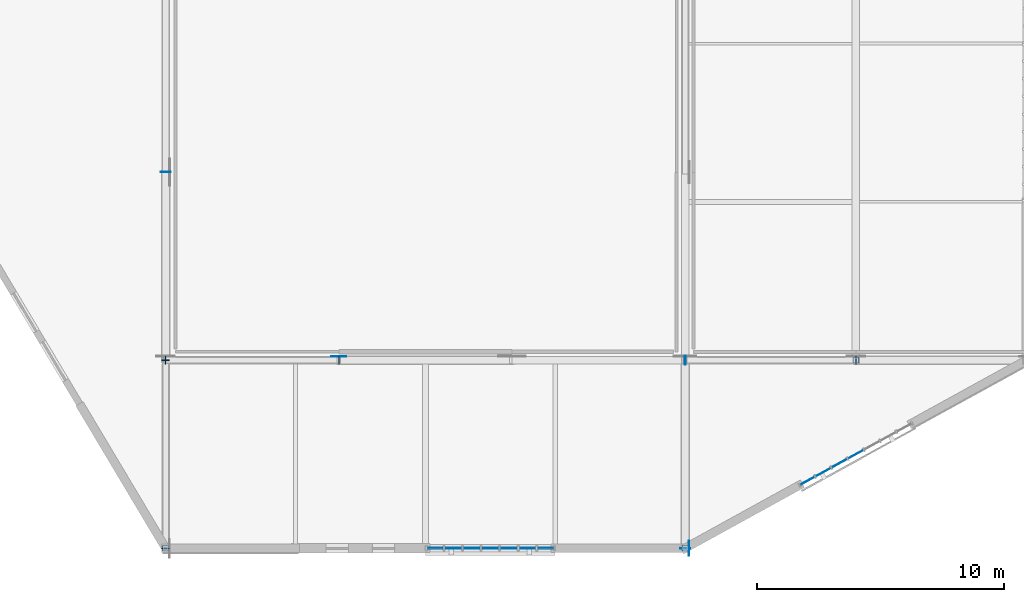
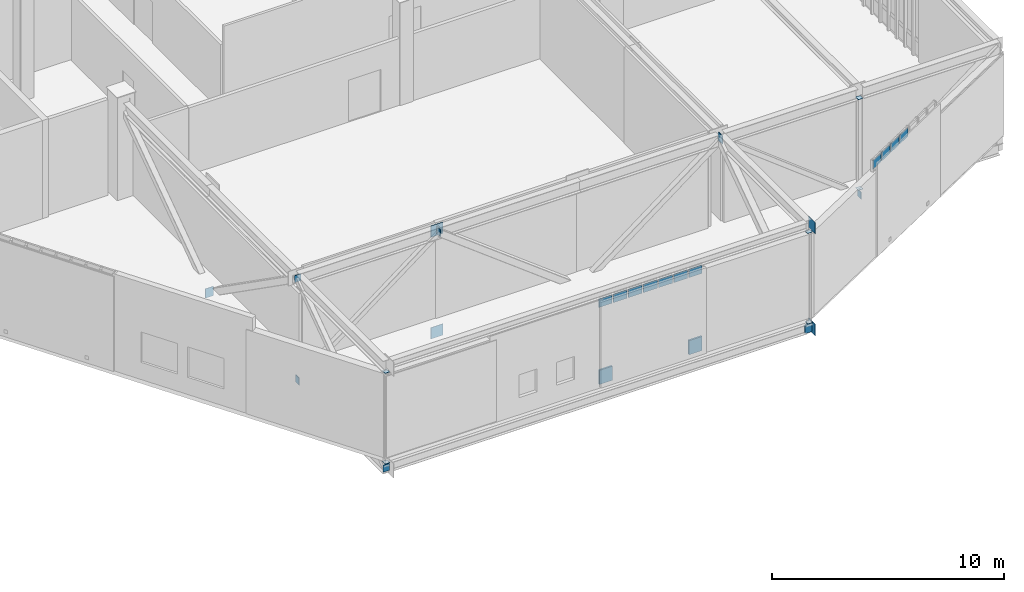
# One storey, part 105 of 135: 31 plates, 2 elements without a shape of their own.
"""IFC4 building model written with IfcOpenShell, lengths in metres."""

from ifc_helpers import new_model, si_unit, direction, frame, origin, origin_2d, place, context, subcontext, project, spatial, rectangle, extrude, material, layer, layer_set, type_object, element, aggregate, save


model = new_model("IFC4")

# Units and contexts
model_context = context("Model", 3, precision=1e-05, world=origin(), true_north=direction((0.0, 1.0)))
body_context = subcontext(model_context, "Body", "Model", "MODEL_VIEW")
ifc_project = project(units=[si_unit("LENGTHUNIT", "METRE"), si_unit("AREAUNIT", "SQUARE_METRE"), si_unit("VOLUMEUNIT", "CUBIC_METRE"), si_unit("PLANEANGLEUNIT", "RADIAN"), si_unit("MASSUNIT", "GRAM", prefix="KILO")], contexts=[model_context])

# Site, building, storey
site_placement = place(None, origin())
site = spatial("IfcSite", under=ifc_project, at=site_placement, CompositionType="ELEMENT")
building_placement = place(site_placement, origin())
building = spatial("IfcBuilding", under=site, at=building_placement, Name="Larkvane Passage Sports Hall", CompositionType="ELEMENT")
storey_placement = place(building_placement, frame((0.0, 0.0, 16.800048828125)))
storey = spatial("IfcBuildingStorey", under=building, at=storey_placement, Name="L03", CompositionType="ELEMENT", Elevation=16.800048828125)

# Curtain wall, plates
ifc_material_1 = material(Name="Thermally broken aluminium and low-E glazing", Category="aluminium")
curtain_wall_type_1 = type_object("IfcCurtainWallType", Name="CW-UNIT-VEIL", PredefinedType="USERDEFINED", material=ifc_material_1)
curtain_wall_1_placement = place(storey_placement, origin())
curtain_wall_1 = element("IfcCurtainWall", 1, at=curtain_wall_1_placement, inside=storey, type_object=curtain_wall_type_1, Name="Curtain wall CW5-L03-117", ObjectType="UNITISED CURTAIN WALL", PredefinedType="USERDEFINED")
ifc_material_2 = material(Name="Mineral-wool insulated spandrel cassette")
ifc_layer_1 = layer(ifc_material_2, 0.0849609375)
ifc_layer_set_1 = layer_set([ifc_layer_1], Name="Mineral-wool insulated spandrel cassette")
plate_type_1 = type_object("IfcPlateType", Name="CWP-SPD-85", PredefinedType="CURTAIN_PANEL", material=ifc_layer_set_1)
plate_1_placement = place(storey_placement, frame((146.95751953125, 0.0, 0.06982421875), z_axis=(0.0, 0.0, 1.0), x_axis=(-1.0, 0.0, 0.0)))
plate_1 = element("IfcPlate", 2, at=plate_1_placement, type_object=plate_type_1, Name="CW-02 panel 1.1", PredefinedType="CURTAIN_PANEL", context=body_context, shape_type="SweptSolid", body=[
    extrude(rectangle(XDim=0.64501953125, YDim=0.0849609375, at=origin_2d()), origin(), (0.0, 0.0, 1.0), 0.7451171875),
])
plate_2_placement = place(storey_placement, frame((142.492431640625, 0.0, 0.06982421875), z_axis=(0.0, 0.0, 1.0), x_axis=(-1.0, 0.0, 0.0)))
plate_2 = element("IfcPlate", 3, at=plate_2_placement, type_object=plate_type_1, Name="CW-02 panel 7.1", PredefinedType="CURTAIN_PANEL", context=body_context, shape_type="SweptSolid", body=[
    extrude(rectangle(XDim=0.64501953125, YDim=0.0849609375, at=origin_2d()), origin(), (0.0, 0.0, 1.0), 0.7451171875),
])

curtain_wall_type_2 = type_object("IfcCurtainWallType", Name="CW-UNIT-COURT", PredefinedType="USERDEFINED", material=ifc_material_1)
curtain_wall_2_placement = place(storey_placement, origin())
curtain_wall_2 = element("IfcCurtainWall", 4, at=curtain_wall_2_placement, inside=storey, type_object=curtain_wall_type_2, Name="Curtain wall CW5-L03-116", ObjectType="UNITISED CURTAIN WALL", PredefinedType="USERDEFINED")
ifc_material_3 = material(Name="Solar-control low-E double glazing", Category="glass")
ifc_layer_2 = layer(ifc_material_3, 0.028076171875)
ifc_layer_set_2 = layer_set([ifc_layer_2], Name="Solar-control low-E double glazing")
plate_type_2 = type_object("IfcPlateType", Name="CWP-VIS-28", PredefinedType="CURTAIN_PANEL", material=ifc_layer_set_2)
plate_3_placement = place(storey_placement, frame((159.5, 3.800048828125, 4.510009765625), z_axis=(0.0, 0.0, 1.0), x_axis=(-0.875942378343, -0.482415743754, 0.0)))
plate_3 = element("IfcPlate", 5, at=plate_3_placement, type_object=plate_type_2, Name="CW-01 panel 4.3", PredefinedType="CURTAIN_PANEL", context=body_context, shape_type="SweptSolid", body=[
    extrude(rectangle(XDim=0.690185546875, YDim=0.028076171875, at=origin_2d()), origin(), (0.0, 0.0, 1.0), 0.4599609375),
])
plate_4_placement = place(storey_placement, frame((158.8427734375, 3.43798828125, 4.510009765625), z_axis=(0.0, 0.0, 1.0), x_axis=(-0.875942378343, -0.482415743754, 0.0)))
plate_4 = element("IfcPlate", 6, at=plate_4_placement, type_object=plate_type_2, Name="CW-01 panel 5.3", PredefinedType="CURTAIN_PANEL", context=body_context, shape_type="SweptSolid", body=[
    extrude(rectangle(XDim=0.690185546875, YDim=0.028076171875, at=origin_2d()), origin(), (0.0, 0.0, 1.0), 0.4599609375),
])
plate_5_placement = place(storey_placement, frame((158.185791015625, 3.076171875, 4.510009765625), z_axis=(0.0, 0.0, 1.0), x_axis=(-0.875942378343, -0.482415743754, 0.0)))
plate_5 = element("IfcPlate", 7, at=plate_5_placement, type_object=plate_type_2, Name="CW-01 panel 6.3", PredefinedType="CURTAIN_PANEL", context=body_context, shape_type="SweptSolid", body=[
    extrude(rectangle(XDim=0.690185546875, YDim=0.028076171875, at=origin_2d()), origin(), (0.0, 0.0, 1.0), 0.4599609375),
])
plate_6_placement = place(storey_placement, frame((157.541748046875, 2.721435546875, 4.510009765625), z_axis=(0.0, 0.0, 1.0), x_axis=(-0.875942378343, -0.482415743754, 0.0)))
plate_6 = element("IfcPlate", 8, at=plate_6_placement, type_object=plate_type_2, Name="CW-01 panel 7.3", PredefinedType="CURTAIN_PANEL", context=body_context, shape_type="SweptSolid", body=[
    extrude(rectangle(XDim=0.66015625, YDim=0.028076171875, at=origin_2d()), origin(), (0.0, 0.0, 1.0), 0.4599609375),
])
aggregate(curtain_wall_2, [plate_3, plate_4, plate_5, plate_6])

# Plate
ifc_material_4 = material(Name="Laminated acoustic low-E glazing", Category="glass")
ifc_layer_3 = layer(ifc_material_4, 0.031982421875)
ifc_layer_set_3 = layer_set([ifc_layer_3], Name="Laminated acoustic low-E glazing")
plate_type_3 = type_object("IfcPlateType", Name="CWP-VIS-32", PredefinedType="CURTAIN_PANEL", material=ifc_layer_set_3)
plate_7_placement = place(storey_placement, frame((146.95751953125, 0.0, 4.10302734375), z_axis=(0.0, 0.0, 1.0), x_axis=(-1.0, 0.0, 0.0)))
plate_7 = element("IfcPlate", 9, at=plate_7_placement, type_object=plate_type_3, Name="CW-02 panel 1.3", PredefinedType="CURTAIN_PANEL", context=body_context, shape_type="SweptSolid", body=[
    extrude(rectangle(XDim=0.64501953125, YDim=0.031982421875, at=origin_2d()), origin(), (0.0, 0.0, 1.0), 0.445068359375),
])

plate_8_placement = place(storey_placement, frame((146.22509765625, 0.0, 4.10302734375), z_axis=(0.0, 0.0, 1.0), x_axis=(-1.0, 0.0, 0.0)))
plate_8 = element("IfcPlate", 10, at=plate_8_placement, type_object=plate_type_3, Name="CW-02 panel 2.3", PredefinedType="CURTAIN_PANEL", context=body_context, shape_type="SweptSolid", body=[
    extrude(rectangle(XDim=0.679931640625, YDim=0.031982421875, at=origin_2d()), origin(), (0.0, 0.0, 1.0), 0.445068359375),
])

plate_9_placement = place(storey_placement, frame((145.47509765625, 0.0, 4.10302734375), z_axis=(0.0, 0.0, 1.0), x_axis=(-1.0, 0.0, 0.0)))
plate_9 = element("IfcPlate", 11, at=plate_9_placement, type_object=plate_type_3, Name="CW-02 panel 3.3", PredefinedType="CURTAIN_PANEL", context=body_context, shape_type="SweptSolid", body=[
    extrude(rectangle(XDim=0.679931640625, YDim=0.031982421875, at=origin_2d()), origin(), (0.0, 0.0, 1.0), 0.445068359375),
])

plate_10_placement = place(storey_placement, frame((144.72509765625, 0.0, 4.10302734375), z_axis=(0.0, 0.0, 1.0), x_axis=(-1.0, 0.0, 0.0)))
plate_10 = element("IfcPlate", 12, at=plate_10_placement, type_object=plate_type_3, Name="CW-02 panel 4.3", PredefinedType="CURTAIN_PANEL", context=body_context, shape_type="SweptSolid", body=[
    extrude(rectangle(XDim=0.679931640625, YDim=0.031982421875, at=origin_2d()), origin(), (0.0, 0.0, 1.0), 0.445068359375),
])

plate_11_placement = place(storey_placement, frame((143.97509765625, 0.0, 4.10302734375), z_axis=(0.0, 0.0, 1.0), x_axis=(-1.0, 0.0, 0.0)))
plate_11 = element("IfcPlate", 13, at=plate_11_placement, type_object=plate_type_3, Name="CW-02 panel 5.3", PredefinedType="CURTAIN_PANEL", context=body_context, shape_type="SweptSolid", body=[
    extrude(rectangle(XDim=0.679931640625, YDim=0.031982421875, at=origin_2d()), origin(), (0.0, 0.0, 1.0), 0.445068359375),
])

plate_12_placement = place(storey_placement, frame((143.22509765625, 0.0, 4.10302734375), z_axis=(0.0, 0.0, 1.0), x_axis=(-1.0, 0.0, 0.0)))
plate_12 = element("IfcPlate", 14, at=plate_12_placement, type_object=plate_type_3, Name="CW-02 panel 6.3", PredefinedType="CURTAIN_PANEL", context=body_context, shape_type="SweptSolid", body=[
    extrude(rectangle(XDim=0.679931640625, YDim=0.031982421875, at=origin_2d()), origin(), (0.0, 0.0, 1.0), 0.445068359375),
])

plate_13_placement = place(storey_placement, frame((142.492431640625, 0.0, 4.10302734375), z_axis=(0.0, 0.0, 1.0), x_axis=(-1.0, 0.0, 0.0)))
plate_13 = element("IfcPlate", 15, at=plate_13_placement, type_object=plate_type_3, Name="CW-02 panel 7.3", PredefinedType="CURTAIN_PANEL", context=body_context, shape_type="SweptSolid", body=[
    extrude(rectangle(XDim=0.64501953125, YDim=0.031982421875, at=origin_2d()), origin(), (0.0, 0.0, 1.0), 0.445068359375),
])

aggregate(curtain_wall_1, [plate_1, plate_7, plate_8, plate_9, plate_10, plate_11, plate_12, plate_2, plate_13])

# Plates
ifc_material_5 = material(Name="Steel S355JR", Category="steel")
ifc_layer_4 = layer(ifc_material_5, 0.011962890625)
ifc_layer_set_4 = layer_set([ifc_layer_4], Name="Steel S355JR")
plate_type_4 = type_object("IfcPlateType", Name="PLT-CAP-12", PredefinedType="SHEET", material=ifc_layer_set_4)
for number, where, z_axis, x_axis, name in (
    (16, (131.59521484375, 7.60009765625, -0.8046875), (0.0, 0.0, 1.0), (0.0, 1.0, 0.0), "Hollow section sealed end cap plate 0178"),
    (17, (138.604736328125, 7.60009765625, 4.54248046875), (0.0, 0.0, 1.0), (0.0, 1.0, 0.0), "Hollow section sealed end cap plate 0179"),
):
    element("IfcPlate", number, at=place(storey_placement, frame(where, z_axis=z_axis, x_axis=x_axis)), inside=storey, type_object=plate_type_4, Name=name, PredefinedType="SHEET", context=body_context, shape_type="SweptSolid", body=[
        extrude(rectangle(XDim=0.31005859375, YDim=0.028076171875, at=origin_2d()), origin(), (0.0, 0.0, 1.0), 0.3740234375),
    ])
plate_14_placement = place(storey_placement, frame((159.504638671875, 7.60009765625, -0.8056640625), z_axis=(0.0, 0.0, 1.0), x_axis=(0.0, 1.0, 0.0)))
element("IfcPlate", 18, at=plate_14_placement, inside=storey, type_object=plate_type_4, Name="Hollow section sealed end cap plate 0181", PredefinedType="SHEET", context=body_context, shape_type="SweptSolid", body=[
    extrude(rectangle(XDim=0.31005859375, YDim=0.028076171875, at=origin_2d()), origin(), (0.0, 0.0, 1.0), 0.3759765625),
])
for number, where, z_axis, x_axis, name in (
    (19, (159.5, 7.60009765625, -0.33203125), (0.0, 0.0, 1.0), (1.0, 0.0, 0.0), "Hollow section sealed end cap plate 0183"),
    (20, (159.5, 7.60009765625, 4.43212890625), (0.0, 0.0, 1.0), (1.0, 0.0, 0.0), "Hollow section sealed end cap plate 0184"),
):
    element("IfcPlate", number, at=place(storey_placement, frame(where, z_axis=z_axis, x_axis=x_axis)), inside=storey, type_object=plate_type_4, Name=name, PredefinedType="SHEET", context=body_context, shape_type="SweptSolid", body=[
        extrude(rectangle(XDim=0.239990234375, YDim=0.239990234375, at=origin_2d()), origin(), (0.0, 0.0, 1.0), 0.011962890625),
    ])
for number, where, z_axis, x_axis, name in (
    (21, (131.60009765625, -0.0048828125, -0.80029296875), (0.0, 0.0, 1.0), (-1.0, 0.0, 0.0), "Hollow section sealed end cap plate 0212"),
    (22, (131.60009765625, 7.60498046875, 4.54638671875), (0.0, 0.0, 1.0), (-1.0, 0.0, 0.0), "Hollow section sealed end cap plate 0213"),
):
    element("IfcPlate", number, at=place(storey_placement, frame(where, z_axis=z_axis, x_axis=x_axis)), inside=storey, type_object=plate_type_4, Name=name, PredefinedType="SHEET", context=body_context, shape_type="SweptSolid", body=[
        extrude(rectangle(XDim=0.31005859375, YDim=0.028076171875, at=origin_2d()), origin(), (0.0, 0.0, 1.0), 0.365966796875),
    ])
for number, where, z_axis, x_axis, name in (
    (23, (131.60009765625, 0.0, -0.33203125), (0.0, 0.0, 1.0), (1.0, 0.0, 0.0), "Hollow section sealed end cap plate 0216"),
    (24, (131.60009765625, 0.0, 4.43212890625), (0.0, 0.0, 1.0), (1.0, 0.0, 0.0), "Hollow section sealed end cap plate 0217"),
    (25, (152.60009765625, 0.0, -0.33203125), (0.0, 0.0, 1.0), (1.0, 0.0, 0.0), "Hollow section sealed end cap plate 0220"),
    (26, (152.60009765625, 0.0, 4.43212890625), (0.0, 0.0, 1.0), (1.0, 0.0, 0.0), "Hollow section sealed end cap plate 0221"),
):
    element("IfcPlate", number, at=place(storey_placement, frame(where, z_axis=z_axis, x_axis=x_axis)), inside=storey, type_object=plate_type_4, Name=name, PredefinedType="SHEET", context=body_context, shape_type="SweptSolid", body=[
        extrude(rectangle(XDim=0.239990234375, YDim=0.239990234375, at=origin_2d()), origin(), (0.0, 0.0, 1.0), 0.011962890625),
    ])
ifc_material_6 = material(Name="Steel S460N", Category="steel")
ifc_layer_5 = layer(ifc_material_6, 0.02001953125)
ifc_layer_set_5 = layer_set([ifc_layer_5], Name="Steel S460N")
plate_type_5 = type_object("IfcPlateType", Name="PLT-CAP-20", PredefinedType="SHEET", material=ifc_layer_set_5)
plate_15_placement = place(storey_placement, frame((152.60791015625, 7.60009765625, 4.513427734375), z_axis=(0.0, 0.0, 1.0), x_axis=(0.0, 1.0, 0.0)))
element("IfcPlate", 27, at=plate_15_placement, inside=storey, type_object=plate_type_5, Name="Hollow section sealed end cap plate 0180", PredefinedType="SHEET", context=body_context, shape_type="SweptSolid", body=[
    extrude(rectangle(XDim=0.360107421875, YDim=0.028076171875, at=origin_2d()), origin(), (0.0, 0.0, 1.0), 0.43701171875),
])
for number, where, z_axis, x_axis, name in (
    (28, (131.60009765625, 15.208251953125, -0.86376953125), (0.0, 0.0, 1.0), (-1.0, 0.0, 0.0), "Hollow section sealed end cap plate 0214"),
    (29, (152.60009765625, -0.00830078125, -0.86376953125), (0.0, 0.0, 1.0), (-1.0, 0.0, 0.0), "Hollow section sealed end cap plate 0218"),
):
    element("IfcPlate", number, at=place(storey_placement, frame(where, z_axis=z_axis, x_axis=x_axis)), inside=storey, type_object=plate_type_5, Name=name, PredefinedType="SHEET", context=body_context, shape_type="SweptSolid", body=[
        extrude(rectangle(XDim=0.409912109375, YDim=0.028076171875, at=origin_2d()), origin(), (0.0, 0.0, 1.0), 0.488037109375),
    ])
ifc_layer_6 = layer(ifc_material_6, 0.01611328125)
ifc_layer_set_6 = layer_set([ifc_layer_6], Name="Steel S460N")
plate_type_6 = type_object("IfcPlateType", Name="PLT-GUS-16", PredefinedType="USERDEFINED", material=ifc_layer_set_6)
for number, where, z_axis, x_axis, name in (
    (30, (138.60009765625, 7.758056640625, -0.9140625), (0.0, 0.0, 1.0), (1.0, 0.0, 0.0), "Truss node gusset plate ND-2B (CT-E3A-1)"),
    (31, (138.60009765625, 7.758056640625, 4.42578125), (0.0, 0.0, 1.0), (1.0, 0.0, 0.0), "Truss node gusset plate ND-2T (CT-E3A-1)"),
    (32, (152.758056640625, 0.0, -0.9140625), (0.0, 0.0, 1.0), (0.0, 1.0, 0.0), "Truss node gusset plate ND-1B (CT-S3A-2)"),
    (33, (152.758056640625, 0.0, 4.42578125), (0.0, 0.0, 1.0), (0.0, 1.0, 0.0), "Truss node gusset plate ND-1T (CT-S3A-2)"),
):
    element("IfcPlate", number, at=place(storey_placement, frame(where, z_axis=z_axis, x_axis=x_axis)), inside=storey, type_object=plate_type_6, Name=name, ObjectType="GUSSET PLATE", PredefinedType="USERDEFINED", context=body_context, shape_type="SweptSolid", body=[
        extrude(rectangle(XDim=0.60009765625, YDim=0.01611328125, at=origin_2d()), origin(), (0.0, 0.0, 1.0), 0.60009765625),
    ])

save(model, "model.ifc")
